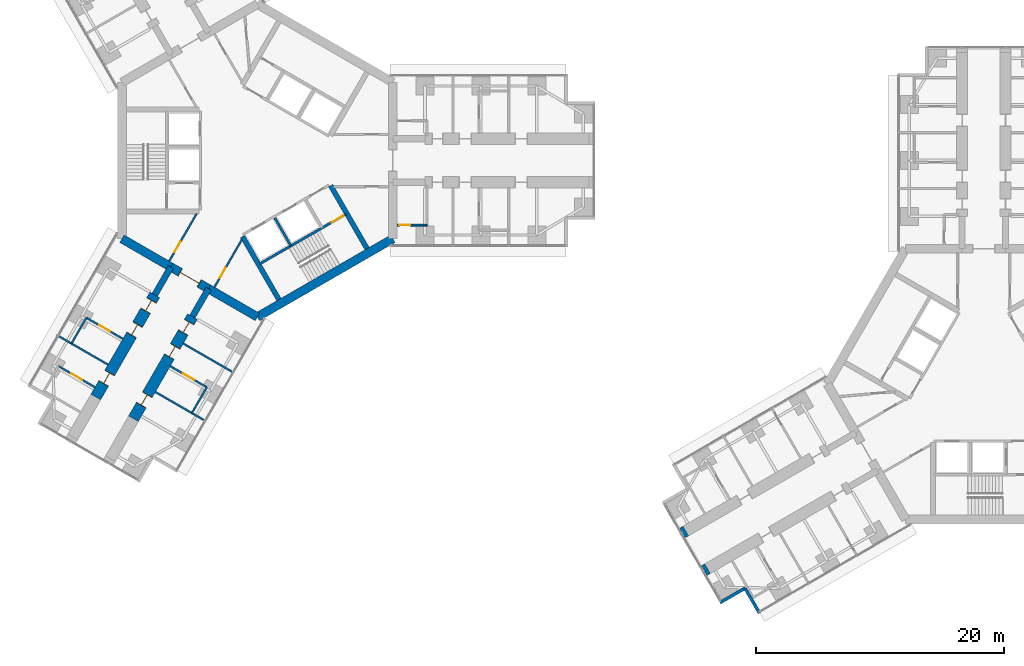
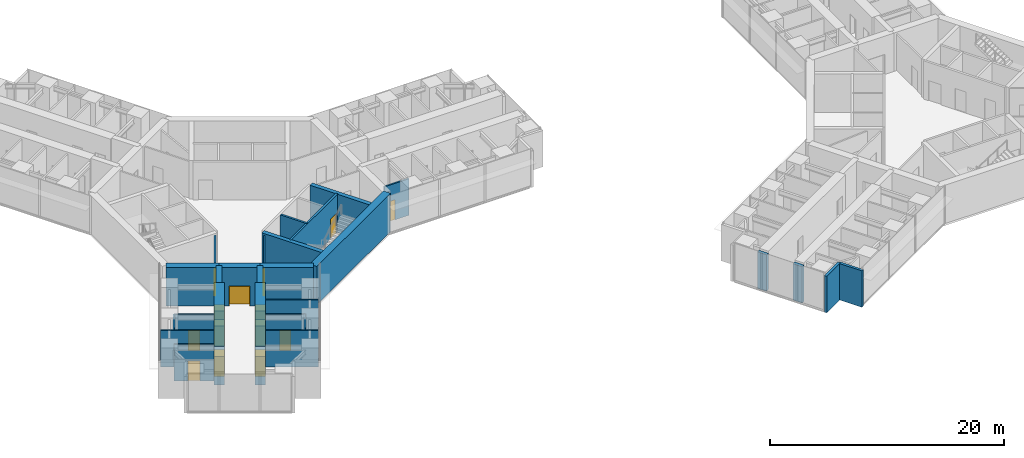
# One storey, part 16 of 24: 27 walls, 14 doors, 14 openings.
"""IFC4 building model written with IfcOpenShell, lengths in metres."""

from ifc_helpers import new_model, si_unit, direction, frame, frame_2d, origin, place, context, subcontext, project, spatial, rectangle, extrude, material, layer, layer_set, type_object, element, fill, save


model = new_model("IFC4")

# Units and contexts
model_context = context("Model", 3, precision=1e-05, world=origin(), true_north=direction((0.0, 1.0)))
body_context = subcontext(model_context, "Body", "Model", "MODEL_VIEW")
ifc_project = project(units=[si_unit("LENGTHUNIT", "METRE"), si_unit("AREAUNIT", "SQUARE_METRE"), si_unit("VOLUMEUNIT", "CUBIC_METRE"), si_unit("PLANEANGLEUNIT", "RADIAN"), si_unit("MASSUNIT", "GRAM", prefix="KILO")], contexts=[model_context])

# Site, building, storey
site_placement = place(None, origin())
site = spatial("IfcSite", under=ifc_project, at=site_placement, CompositionType="ELEMENT")
building_placement = place(site_placement, origin())
building = spatial("IfcBuilding", under=site, at=building_placement, Name="Upepo Twin Towers", CompositionType="ELEMENT")
storey_placement = place(building_placement, frame((0.0, 0.0, 60.5)))
storey = spatial("IfcBuildingStorey", under=building, at=storey_placement, Name="L14", CompositionType="ELEMENT", Elevation=60.5)

# Walls
ifc_material_1 = material(Name="Dense concrete blockwork", Category="masonry")
ifc_layer_1 = layer(ifc_material_1, 0.89990234375)
ifc_layer_set_1 = layer_set([ifc_layer_1], Name="Buttress closer 900, blockwork with fire-stopping to the curtain wall")
wall_type_1 = type_object("IfcWallType", Name="Buttress closer 900, blockwork with fire-stopping to the curtain wall", PredefinedType="PARTITIONING", material=ifc_layer_set_1)
for number, where, z_axis, x_axis, name in (
    (1, (36.252197265625, -32.865478515625, 0.0), (0.0, 0.0, 1.0), (-0.866054481515, -0.499949632511, 0.0), "T2 L14 wing B buttress closer L"),
    (2, (34.502197265625, -29.83447265625, 0.0), (0.0, 0.0, 1.0), (-0.866054481515, -0.499949632511, 0.0), "T2 L14 wing B buttress closer R"),
):
    element("IfcWall", number, at=place(storey_placement, frame(where, z_axis=z_axis, x_axis=x_axis)), inside=storey, type_object=wall_type_1, Name=name, PredefinedType="PARTITIONING", context=body_context, shape_type="SweptSolid", body=[
        extrude(rectangle(XDim=0.31005859375, YDim=0.89990234375, at=frame_2d((0.155029296875, 0.0))), origin(), (0.0, 0.0, 1.0), 3.800048828125),
    ])
ifc_material_2 = material(Name="Concrete C60/75", Category="concrete")
ifc_layer_2 = layer(ifc_material_2, 0.5)
ifc_layer_set_2 = layer_set([ifc_layer_2], Name="Concrete C60/75")
wall_type_2 = type_object("IfcWallType", Name="Buttress wall 500 RC", PredefinedType="SHEAR", material=ifc_layer_set_2)
for number, where, z_axis, x_axis, name in (
    (3, (-3.938720703125, -10.32177734375, 0.0), (0.0, 0.0, 1.0), (-0.499918158782, -0.866072649678, 0.0), "T1 wing C buttress wall L"),
    (4, (-6.9697265625, -8.57177734375, 0.0), (0.0, 0.0, 1.0), (-0.499988811324, -0.866031863473, 0.0), "T1 wing C buttress wall R"),
):
    element("IfcWall", number, at=place(storey_placement, frame(where, z_axis=z_axis, x_axis=x_axis)), inside=storey, type_object=wall_type_2, Name=name, PredefinedType="SHEAR", context=body_context, shape_type="SweptSolid", body=[
        extrude(rectangle(XDim=2.591796875, YDim=0.5, at=frame_2d((1.2958984375, 0.0))), origin(), (0.0, 0.0, 1.0), 4.0),
    ])

# Wall, openings, doors
ifc_material_3 = material(Name="Concrete C60/75", Category="concrete")
ifc_layer_3 = layer(ifc_material_3, 0.89990234375)
ifc_layer_set_3 = layer_set([ifc_layer_3], Name="Concrete C60/75")
wall_type_3 = type_object("IfcWallType", Name="Buttress wall 900 RC", PredefinedType="SHEAR", material=ifc_layer_set_3)
wall_1_placement = place(storey_placement, frame((-5.234375, -12.56640625, 0.0), z_axis=(0.0, 0.0, 1.0), x_axis=(-0.499997557548, -0.86602681393, 0.0)))
wall_1 = element("IfcWall", 5, at=wall_1_placement, inside=storey, type_object=wall_type_3, Name="T1 wing C buttress wall L part 2", PredefinedType="SHEAR", context=body_context, shape_type="SweptSolid", body=[
    extrude(rectangle(XDim=9.5, YDim=0.89990234375, at=frame_2d((4.75, 0.0))), origin(), (0.0, 0.0, 1.0), 4.0),
])
opening_1_placement = place(wall_1_placement, frame((0.5, 0.0, 0.0)))
opening_1 = element("IfcOpeningElement", 6, at=opening_1_placement, cuts=wall_1, Name="Opening D1", PredefinedType="OPENING", context=body_context, shape_type="SweptSolid", body=[
    extrude(rectangle(XDim=1.0, YDim=2.10009765625, at=frame_2d((0.5, 1.050048828125))), frame((0.0, 0.4599609375, 0.0), z_axis=(0.0, -1.0, 0.0), x_axis=(1.0, 0.0, 0.0)), (0.0, 0.0, 1.0), 0.919921875),
])
opening_2_placement = place(wall_1_placement, frame((2.75, 0.0, 0.0)))
opening_2 = element("IfcOpeningElement", 7, at=opening_2_placement, cuts=wall_1, Name="Opening D1", PredefinedType="OPENING", context=body_context, shape_type="SweptSolid", body=[
    extrude(rectangle(XDim=1.0, YDim=2.10009765625, at=frame_2d((0.5, 1.050048828125))), frame((0.0, 0.4599609375, 0.0), z_axis=(0.0, -1.0, 0.0), x_axis=(1.0, 0.0, 0.0)), (0.0, 0.0, 1.0), 0.919921875),
])
opening_3_placement = place(wall_1_placement, frame((7.25, 0.0, 0.0)))
opening_3 = element("IfcOpeningElement", 8, at=opening_3_placement, cuts=wall_1, Name="Opening D1", PredefinedType="OPENING", context=body_context, shape_type="SweptSolid", body=[
    extrude(rectangle(XDim=1.0, YDim=2.10009765625, at=frame_2d((0.5, 1.050048828125))), frame((0.0, 0.4599609375, 0.0), z_axis=(0.0, -1.0, 0.0), x_axis=(1.0, 0.0, 0.0)), (0.0, 0.0, 1.0), 0.919921875),
])
ifc_material_4 = material(Name="Timber doorset", Category="wood")
door_type_1 = type_object("IfcDoorType", Name="Room door 1000 FD30", OperationType="SINGLE_SWING_LEFT", PredefinedType="DOOR", material=ifc_material_4)
door_1_placement = place(opening_1_placement, origin())
door_1 = element("IfcDoor", 9, at=door_1_placement, inside=storey, type_object=door_type_1, Name="T1 L14 tutorial room door", OperationType="SINGLE_SWING_LEFT", OverallHeight=2.10009765625, OverallWidth=1.0, PredefinedType="DOOR", context=body_context, shape_type="SweptSolid", body=[
    extrude(rectangle(XDim=0.92, YDim=2.06009765625, at=frame_2d((0.5, 1.030029296875))), frame((0.0, 0.02490234375, 0.0), z_axis=(0.0, -1.0, 0.0), x_axis=(1.0, 0.0, 0.0)), (0.0, 0.0, 1.0), 0.050048828125),
    extrude(rectangle(XDim=0.04, YDim=2.10009765625, at=frame_2d((0.02001953125, 1.050048828125))), frame((0.0, 0.44970703125, 0.0), z_axis=(0.0, -1.0, 0.0), x_axis=(1.0, 0.0, 0.0)), (0.0, 0.0, 1.0), 0.8994140625),
    extrude(rectangle(XDim=0.04, YDim=2.10009765625, at=frame_2d((0.97998046875, 1.050048828125))), frame((0.0, 0.44970703125, 0.0), z_axis=(0.0, -1.0, 0.0), x_axis=(1.0, 0.0, 0.0)), (0.0, 0.0, 1.0), 0.8994140625),
    extrude(rectangle(XDim=0.92, YDim=0.04, at=frame_2d((0.5, 2.080078125))), frame((0.0, 0.44970703125, 0.0), z_axis=(0.0, -1.0, 0.0), x_axis=(1.0, 0.0, 0.0)), (0.0, 0.0, 1.0), 0.8994140625),
])
fill(opening_1, door_1)
door_2_placement = place(opening_2_placement, origin())
door_2 = element("IfcDoor", 10, at=door_2_placement, inside=storey, type_object=door_type_1, Name="T1 L14 computing laboratory door", OperationType="SINGLE_SWING_LEFT", OverallHeight=2.10009765625, OverallWidth=1.0, PredefinedType="DOOR", context=body_context, shape_type="SweptSolid", body=[
    extrude(rectangle(XDim=0.92, YDim=2.06009765625, at=frame_2d((0.5, 1.030029296875))), frame((0.0, 0.02490234375, 0.0), z_axis=(0.0, -1.0, 0.0), x_axis=(1.0, 0.0, 0.0)), (0.0, 0.0, 1.0), 0.050048828125),
    extrude(rectangle(XDim=0.04, YDim=2.10009765625, at=frame_2d((0.02001953125, 1.050048828125))), frame((0.0, 0.44970703125, 0.0), z_axis=(0.0, -1.0, 0.0), x_axis=(1.0, 0.0, 0.0)), (0.0, 0.0, 1.0), 0.8994140625),
    extrude(rectangle(XDim=0.04, YDim=2.10009765625, at=frame_2d((0.97998046875, 1.050048828125))), frame((0.0, 0.44970703125, 0.0), z_axis=(0.0, -1.0, 0.0), x_axis=(1.0, 0.0, 0.0)), (0.0, 0.0, 1.0), 0.8994140625),
    extrude(rectangle(XDim=0.92, YDim=0.04, at=frame_2d((0.5, 2.080078125))), frame((0.0, 0.44970703125, 0.0), z_axis=(0.0, -1.0, 0.0), x_axis=(1.0, 0.0, 0.0)), (0.0, 0.0, 1.0), 0.8994140625),
])
fill(opening_2, door_2)
door_3_placement = place(opening_3_placement, origin())
door_3 = element("IfcDoor", 11, at=door_3_placement, inside=storey, type_object=door_type_1, Name="T1 L14 seminar room door", OperationType="SINGLE_SWING_RIGHT", OverallHeight=2.10009765625, OverallWidth=1.0, PredefinedType="DOOR", context=body_context, shape_type="SweptSolid", body=[
    extrude(rectangle(XDim=0.92, YDim=2.06009765625, at=frame_2d((0.5, 1.030029296875))), frame((0.0, 0.02490234375, 0.0), z_axis=(0.0, -1.0, 0.0), x_axis=(1.0, 0.0, 0.0)), (0.0, 0.0, 1.0), 0.050048828125),
    extrude(rectangle(XDim=0.04, YDim=2.10009765625, at=frame_2d((0.02001953125, 1.050048828125))), frame((0.0, 0.44970703125, 0.0), z_axis=(0.0, -1.0, 0.0), x_axis=(1.0, 0.0, 0.0)), (0.0, 0.0, 1.0), 0.8994140625),
    extrude(rectangle(XDim=0.04, YDim=2.10009765625, at=frame_2d((0.97998046875, 1.050048828125))), frame((0.0, 0.44970703125, 0.0), z_axis=(0.0, -1.0, 0.0), x_axis=(1.0, 0.0, 0.0)), (0.0, 0.0, 1.0), 0.8994140625),
    extrude(rectangle(XDim=0.92, YDim=0.04, at=frame_2d((0.5, 2.080078125))), frame((0.0, 0.44970703125, 0.0), z_axis=(0.0, -1.0, 0.0), x_axis=(1.0, 0.0, 0.0)), (0.0, 0.0, 1.0), 0.8994140625),
])
fill(opening_3, door_3)

wall_2_placement = place(storey_placement, frame((-8.265625, -10.81640625, 0.0), z_axis=(0.0, 0.0, 1.0), x_axis=(-0.499997557548, -0.86602681393, 0.0)))
wall_2 = element("IfcWall", 12, at=wall_2_placement, inside=storey, type_object=wall_type_3, Name="T1 wing C buttress wall R part 2", PredefinedType="SHEAR", context=body_context, shape_type="SweptSolid", body=[
    extrude(rectangle(XDim=9.5, YDim=0.89990234375, at=frame_2d((4.75, 0.0))), origin(), (0.0, 0.0, 1.0), 4.0),
])
opening_4_placement = place(wall_2_placement, frame((0.5, 0.0, 0.0)))
opening_4 = element("IfcOpeningElement", 13, at=opening_4_placement, cuts=wall_2, Name="Opening D1", PredefinedType="OPENING", context=body_context, shape_type="SweptSolid", body=[
    extrude(rectangle(XDim=1.0, YDim=2.10009765625, at=frame_2d((0.5, 1.050048828125))), frame((0.0, 0.4599609375, 0.0), z_axis=(0.0, -1.0, 0.0), x_axis=(1.0, 0.0, 0.0)), (0.0, 0.0, 1.0), 0.919921875),
])
opening_5_placement = place(wall_2_placement, frame((2.75, 0.0, 0.0)))
opening_5 = element("IfcOpeningElement", 14, at=opening_5_placement, cuts=wall_2, Name="Opening D1", PredefinedType="OPENING", context=body_context, shape_type="SweptSolid", body=[
    extrude(rectangle(XDim=1.0, YDim=2.10009765625, at=frame_2d((0.5, 1.050048828125))), frame((0.0, 0.4599609375, 0.0), z_axis=(0.0, -1.0, 0.0), x_axis=(1.0, 0.0, 0.0)), (0.0, 0.0, 1.0), 0.919921875),
])
opening_6_placement = place(wall_2_placement, frame((7.25, 0.0, 0.0)))
opening_6 = element("IfcOpeningElement", 15, at=opening_6_placement, cuts=wall_2, Name="Opening D1", PredefinedType="OPENING", context=body_context, shape_type="SweptSolid", body=[
    extrude(rectangle(XDim=1.0, YDim=2.10009765625, at=frame_2d((0.5, 1.050048828125))), frame((0.0, 0.4599609375, 0.0), z_axis=(0.0, -1.0, 0.0), x_axis=(1.0, 0.0, 0.0)), (0.0, 0.0, 1.0), 0.919921875),
])
door_4_placement = place(opening_4_placement, origin())
door_4 = element("IfcDoor", 16, at=door_4_placement, inside=storey, type_object=door_type_1, Name="T1 L14 teaching laboratory door", OperationType="SINGLE_SWING_LEFT", OverallHeight=2.10009765625, OverallWidth=1.0, PredefinedType="DOOR", context=body_context, shape_type="SweptSolid", body=[
    extrude(rectangle(XDim=0.92, YDim=2.06009765625, at=frame_2d((0.5, 1.030029296875))), frame((0.0, 0.02490234375, 0.0), z_axis=(0.0, -1.0, 0.0), x_axis=(1.0, 0.0, 0.0)), (0.0, 0.0, 1.0), 0.050048828125),
    extrude(rectangle(XDim=0.04, YDim=2.10009765625, at=frame_2d((0.02001953125, 1.050048828125))), frame((0.0, 0.44970703125, 0.0), z_axis=(0.0, -1.0, 0.0), x_axis=(1.0, 0.0, 0.0)), (0.0, 0.0, 1.0), 0.8994140625),
    extrude(rectangle(XDim=0.04, YDim=2.10009765625, at=frame_2d((0.97998046875, 1.050048828125))), frame((0.0, 0.44970703125, 0.0), z_axis=(0.0, -1.0, 0.0), x_axis=(1.0, 0.0, 0.0)), (0.0, 0.0, 1.0), 0.8994140625),
    extrude(rectangle(XDim=0.92, YDim=0.04, at=frame_2d((0.5, 2.080078125))), frame((0.0, 0.44970703125, 0.0), z_axis=(0.0, -1.0, 0.0), x_axis=(1.0, 0.0, 0.0)), (0.0, 0.0, 1.0), 0.8994140625),
])
fill(opening_4, door_4)
door_5_placement = place(opening_5_placement, origin())
door_5 = element("IfcDoor", 17, at=door_5_placement, inside=storey, type_object=door_type_1, Name="T1 L14 teaching laboratory door", OperationType="SINGLE_SWING_LEFT", OverallHeight=2.10009765625, OverallWidth=1.0, PredefinedType="DOOR", context=body_context, shape_type="SweptSolid", body=[
    extrude(rectangle(XDim=0.92, YDim=2.06009765625, at=frame_2d((0.5, 1.030029296875))), frame((0.0, 0.02490234375, 0.0), z_axis=(0.0, -1.0, 0.0), x_axis=(1.0, 0.0, 0.0)), (0.0, 0.0, 1.0), 0.050048828125),
    extrude(rectangle(XDim=0.04, YDim=2.10009765625, at=frame_2d((0.02001953125, 1.050048828125))), frame((0.0, 0.44970703125, 0.0), z_axis=(0.0, -1.0, 0.0), x_axis=(1.0, 0.0, 0.0)), (0.0, 0.0, 1.0), 0.8994140625),
    extrude(rectangle(XDim=0.04, YDim=2.10009765625, at=frame_2d((0.97998046875, 1.050048828125))), frame((0.0, 0.44970703125, 0.0), z_axis=(0.0, -1.0, 0.0), x_axis=(1.0, 0.0, 0.0)), (0.0, 0.0, 1.0), 0.8994140625),
    extrude(rectangle(XDim=0.92, YDim=0.04, at=frame_2d((0.5, 2.080078125))), frame((0.0, 0.44970703125, 0.0), z_axis=(0.0, -1.0, 0.0), x_axis=(1.0, 0.0, 0.0)), (0.0, 0.0, 1.0), 0.8994140625),
])
fill(opening_5, door_5)
door_6_placement = place(opening_6_placement, origin())
door_6 = element("IfcDoor", 18, at=door_6_placement, inside=storey, type_object=door_type_1, Name="T1 L14 staff office door", OperationType="SINGLE_SWING_RIGHT", OverallHeight=2.10009765625, OverallWidth=1.0, PredefinedType="DOOR", context=body_context, shape_type="SweptSolid", body=[
    extrude(rectangle(XDim=0.92, YDim=2.06009765625, at=frame_2d((0.5, 1.030029296875))), frame((0.0, 0.02490234375, 0.0), z_axis=(0.0, -1.0, 0.0), x_axis=(1.0, 0.0, 0.0)), (0.0, 0.0, 1.0), 0.050048828125),
    extrude(rectangle(XDim=0.04, YDim=2.10009765625, at=frame_2d((0.02001953125, 1.050048828125))), frame((0.0, 0.44970703125, 0.0), z_axis=(0.0, -1.0, 0.0), x_axis=(1.0, 0.0, 0.0)), (0.0, 0.0, 1.0), 0.8994140625),
    extrude(rectangle(XDim=0.04, YDim=2.10009765625, at=frame_2d((0.97998046875, 1.050048828125))), frame((0.0, 0.44970703125, 0.0), z_axis=(0.0, -1.0, 0.0), x_axis=(1.0, 0.0, 0.0)), (0.0, 0.0, 1.0), 0.8994140625),
    extrude(rectangle(XDim=0.92, YDim=0.04, at=frame_2d((0.5, 2.080078125))), frame((0.0, 0.44970703125, 0.0), z_axis=(0.0, -1.0, 0.0), x_axis=(1.0, 0.0, 0.0)), (0.0, 0.0, 1.0), 0.8994140625),
])
fill(opening_6, door_6)

# Wall
ifc_material_5 = material(Name="Concrete C60/75", Category="concrete")
ifc_layer_4 = layer(ifc_material_5, 0.699951171875)
ifc_layer_set_4 = layer_set([ifc_layer_4], Name="Concrete C60/75")
wall_type_4 = type_object("IfcWallType", Name="Core wall 700 RC", PredefinedType="SHEAR", material=ifc_layer_set_4)
wall_3_placement = place(storey_placement, frame((-10.908447265625, -6.2978515625, 0.0), z_axis=(0.0, 0.0, 1.0), x_axis=(0.866034513004, -0.499984222037, 0.0)))
element("IfcWall", 19, at=wall_3_placement, inside=storey, type_object=wall_type_4, Name="T1 core wall 240 R", PredefinedType="SHEAR", context=body_context, shape_type="SweptSolid", body=[
    extrude(rectangle(XDim=4.548095703125, YDim=0.699951171875, at=frame_2d((2.27392578125, 0.0))), origin(), (0.0, 0.0, 1.0), 4.0),
])

# Wall, opening, door
wall_4_placement = place(storey_placement, frame((-6.9697265625, -8.57177734375, 0.0), z_axis=(0.0, 0.0, 1.0), x_axis=(0.866019471182, -0.500010275428, 0.0)))
wall_4 = element("IfcWall", 20, at=wall_4_placement, inside=storey, type_object=wall_type_4, Name="T1 core wall 240", PredefinedType="SHEAR", context=body_context, shape_type="SweptSolid", body=[
    extrude(rectangle(XDim=3.5, YDim=0.699951171875, at=frame_2d((1.75, 0.0))), origin(), (0.0, 0.0, 1.0), 4.0),
])
opening_7_placement = place(wall_4_placement, frame((0.85009765625, 0.0, 0.0)))
opening_7 = element("IfcOpeningElement", 21, at=opening_7_placement, cuts=wall_4, Name="Opening D2", PredefinedType="OPENING", context=body_context, shape_type="SweptSolid", body=[
    extrude(rectangle(XDim=1.800048828125, YDim=2.10009765625, at=frame_2d((0.89990234375, 1.050048828125))), frame((0.0, 0.35986328125, 0.0), z_axis=(0.0, -1.0, 0.0), x_axis=(1.0, 0.0, 0.0)), (0.0, 0.0, 1.0), 0.719970703125),
])
ifc_material_6 = material(Name="Timber doorset", Category="wood")
door_type_2 = type_object("IfcDoorType", Name="Corridor double door 1800 FD60", OperationType="DOUBLE_DOOR_DOUBLE_SWING", PredefinedType="DOOR", material=ifc_material_6)
door_7_placement = place(opening_7_placement, origin())
door_7 = element("IfcDoor", 22, at=door_7_placement, inside=storey, type_object=door_type_2, Name="T1 L14 wing C corridor door", OperationType="DOUBLE_DOOR_DOUBLE_SWING", OverallHeight=2.10009765625, OverallWidth=1.800048828125, PredefinedType="DOOR", context=body_context, shape_type="SweptSolid", body=[
    extrude(rectangle(XDim=1.720048828125, YDim=2.06009765625, at=frame_2d((0.89990234375, 1.030029296875))), frame((0.0, 0.02490234375, 0.0), z_axis=(0.0, -1.0, 0.0), x_axis=(1.0, 0.0, 0.0)), (0.0, 0.0, 1.0), 0.050048828125),
    extrude(rectangle(XDim=0.04, YDim=2.10009765625, at=frame_2d((0.02001953125, 1.050048828125))), frame((0.0, 0.349609375, 0.0), z_axis=(0.0, -1.0, 0.0), x_axis=(1.0, 0.0, 0.0)), (0.0, 0.0, 1.0), 0.699462890625),
    extrude(rectangle(XDim=0.04, YDim=2.10009765625, at=frame_2d((1.780029296875, 1.050048828125))), frame((0.0, 0.349609375, 0.0), z_axis=(0.0, -1.0, 0.0), x_axis=(1.0, 0.0, 0.0)), (0.0, 0.0, 1.0), 0.699462890625),
    extrude(rectangle(XDim=1.720048828125, YDim=0.04, at=frame_2d((0.89990234375, 2.080078125))), frame((0.0, 0.349609375, 0.0), z_axis=(0.0, -1.0, 0.0), x_axis=(1.0, 0.0, 0.0)), (0.0, 0.0, 1.0), 0.699462890625),
])
fill(opening_7, door_7)

# Walls
wall_5_placement = place(storey_placement, frame((-3.938720703125, -10.32177734375, 0.0), z_axis=(0.0, 0.0, 1.0), x_axis=(0.866011268655, -0.500024481964, 0.0)))
element("IfcWall", 23, at=wall_5_placement, inside=storey, type_object=wall_type_4, Name="T1 core wall 240 L", PredefinedType="SHEAR", context=body_context, shape_type="SweptSolid", body=[
    extrude(rectangle(XDim=4.548095703125, YDim=0.699951171875, at=frame_2d((2.27392578125, 0.0))), origin(), (0.0, 0.0, 1.0), 4.0),
])
wall_6_placement = place(storey_placement, frame((0.0, -12.595947265625, 0.0), z_axis=(0.0, 0.0, 1.0), x_axis=(0.866021940709, 0.500005998175, 0.0)))
element("IfcWall", 24, at=wall_6_placement, inside=storey, type_object=wall_type_4, Name="T1 core wall 300", PredefinedType="SHEAR", context=body_context, shape_type="SweptSolid", body=[
    extrude(rectangle(XDim=12.595947265625, YDim=0.699951171875, at=frame_2d((6.2978515625, 0.0))), origin(), (0.0, 0.0, 1.0), 4.0),
])
ifc_material_7 = material(Name="Blockwork with anodised aluminium cladding", Category="masonry")
ifc_layer_5 = layer(ifc_material_7, 0.25)
ifc_layer_set_5 = layer_set([ifc_layer_5], Name="Notch cladding wall 250, pale metal")
wall_type_5 = type_object("IfcWallType", Name="Notch cladding wall 250, pale metal", PredefinedType="STANDARD", material=ifc_layer_set_5)
for number, where, z_axis, x_axis, name in (
    (25, (40.4326171875, -36.456298828125, 0.0), (0.0, 0.0, 1.0), (-0.500046648681, 0.865998469481, 0.0), "T2 L14 wing B notch wall L1"),
    (26, (39.27001953125, -34.44287109375, 0.0), (0.0, 0.0, 1.0), (-0.865998469481, -0.500046648681, 0.0), "T2 L14 wing B notch wall L2"),
):
    element("IfcWall", number, at=place(storey_placement, frame(where, z_axis=z_axis, x_axis=x_axis)), inside=storey, type_object=wall_type_5, Name=name, PredefinedType="STANDARD", context=body_context, shape_type="SweptSolid", body=[
        extrude(rectangle(XDim=2.324951171875, YDim=0.25, at=frame_2d((1.16259765625, 0.0))), origin(), (0.0, 0.0, 1.0), 3.800048828125),
    ])
ifc_material_8 = material(Name="Concrete C40/50", Category="concrete")
ifc_layer_6 = layer(ifc_material_8, 0.199951171875)
ifc_layer_set_6 = layer_set([ifc_layer_6], Name="Concrete C40/50")
wall_type_6 = type_object("IfcWallType", Name="Shaft wall 200 RC", PredefinedType="SHEAR", material=ifc_layer_set_6)
wall_7_placement = place(storey_placement, frame((1.3974609375, -4.620361328125, 0.0), z_axis=(0.0, 0.0, 1.0), x_axis=(0.499936506574, -0.866062058628, 0.0)))
element("IfcWall", 27, at=wall_7_placement, inside=storey, type_object=wall_type_6, Name="T1 core W300 shaft divider", PredefinedType="SHEAR", context=body_context, shape_type="SweptSolid", body=[
    extrude(rectangle(XDim=2.599853515625, YDim=0.199951171875, at=frame_2d((1.2998046875, 0.0))), origin(), (0.0, 0.0, 1.0), 4.0),
])

# Wall, opening, door
wall_8_placement = place(storey_placement, frame((0.185791015625, -8.322021484375, 0.0), z_axis=(0.0, 0.0, 1.0), x_axis=(0.866026010844, 0.49999894854, 0.0)))
wall_8 = element("IfcWall", 28, at=wall_8_placement, inside=storey, type_object=wall_type_6, Name="T1 core W300 stair wall", PredefinedType="SHEAR", context=body_context, shape_type="SweptSolid", body=[
    extrude(rectangle(XDim=8.0, YDim=0.199951171875, at=frame_2d((4.0, 0.0))), origin(), (0.0, 0.0, 1.0), 4.0),
])
opening_8_placement = place(wall_8_placement, frame((6.699951171875, 0.0, 0.0)))
opening_8 = element("IfcOpeningElement", 29, at=opening_8_placement, cuts=wall_8, Name="Opening D3", PredefinedType="OPENING", context=body_context, shape_type="SweptSolid", body=[
    extrude(rectangle(XDim=1.10009765625, YDim=2.10009765625, at=frame_2d((0.550048828125, 1.050048828125))), frame((0.0, 0.10986328125, 0.0), z_axis=(0.0, -1.0, 0.0), x_axis=(1.0, 0.0, 0.0)), (0.0, 0.0, 1.0), 0.219970703125),
])
ifc_material_9 = material(Name="Timber doorset", Category="wood")
door_type_3 = type_object("IfcDoorType", Name="Stair door 1100 FD60", OperationType="SINGLE_SWING_LEFT", PredefinedType="DOOR", material=ifc_material_9)
door_8_placement = place(opening_8_placement, origin())
door_8 = element("IfcDoor", 30, at=door_8_placement, inside=storey, type_object=door_type_3, Name="T1 L14 stair door", OperationType="SINGLE_SWING_RIGHT", OverallHeight=2.10009765625, OverallWidth=1.10009765625, PredefinedType="DOOR", context=body_context, shape_type="SweptSolid", body=[
    extrude(rectangle(XDim=1.10009765625, YDim=2.10009765625, at=frame_2d((0.550048828125, 1.050048828125))), frame((0.0, 0.02490234375, 0.0), z_axis=(0.0, -1.0, 0.0), x_axis=(1.0, 0.0, 0.0)), (0.0, 0.0, 1.0), 0.050048828125),
])
fill(opening_8, door_8)

# Walls
ifc_material_10 = material(Name="Concrete C40/50", Category="concrete")
ifc_layer_7 = layer(ifc_material_10, 0.39990234375)
ifc_layer_set_7 = layer_set([ifc_layer_7], Name="Concrete C40/50")
wall_type_7 = type_object("IfcWallType", Name="Shaft wall 400 RC", PredefinedType="SHEAR", material=ifc_layer_set_7)
for number, where, z_axis, x_axis, name in (
    (31, (5.900634765625, -2.020263671875, 0.0), (0.0, 0.0, 1.0), (0.500002627198, -0.866023886965, 0.0), "T1 core W300 side wall N"),
    (32, (-1.20068359375, -6.120361328125, 0.0), (0.0, 0.0, 1.0), (0.500002627198, -0.866023886965, 0.0), "T1 core W300 side wall S"),
):
    element("IfcWall", number, at=place(storey_placement, frame(where, z_axis=z_axis, x_axis=x_axis)), inside=storey, type_object=wall_type_7, Name=name, PredefinedType="SHEAR", context=body_context, shape_type="SweptSolid", body=[
        extrude(rectangle(XDim=5.8583984375, YDim=0.39990234375, at=frame_2d((2.92919921875, 0.0))), origin(), (0.0, 0.0, 1.0), 4.0),
    ])

# Wall, opening, door
ifc_material_11 = material(Name="Gypsum board on steel studs", Category="steel")
ifc_layer_8 = layer(ifc_material_11, 0.14990234375)
ifc_layer_set_8 = layer_set([ifc_layer_8], Name="Teaching partition 150 acoustic")
wall_type_8 = type_object("IfcWallType", Name="Teaching partition 150 acoustic", PredefinedType="PARTITIONING", material=ifc_layer_set_8)
wall_9_placement = place(storey_placement, frame((11.258056640625, -5.199951171875, 0.0), z_axis=(0.0, 0.0, 1.0), x_axis=(1.0, 0.0, 0.0)))
wall_9 = element("IfcWall", 33, at=wall_9_placement, inside=storey, type_object=wall_type_8, Name="T1 WC bay partition AR at 11.26", PredefinedType="PARTITIONING", context=body_context, shape_type="SweptSolid", body=[
    extrude(rectangle(XDim=2.39990234375, YDim=0.14990234375, at=frame_2d((1.199951171875, 0.0))), origin(), (0.0, 0.0, 1.0), 3.800048828125),
])
opening_9_placement = place(wall_9_placement, frame((0.14990234375, 0.0, 0.0)))
opening_9 = element("IfcOpeningElement", 34, at=opening_9_placement, cuts=wall_9, Name="Opening D14", PredefinedType="OPENING", context=body_context, shape_type="SweptSolid", body=[
    extrude(rectangle(XDim=0.89990234375, YDim=2.10009765625, at=frame_2d((0.449951171875, 1.050048828125))), frame((0.0, 0.0849609375, 0.0), z_axis=(0.0, -1.0, 0.0), x_axis=(1.0, 0.0, 0.0)), (0.0, 0.0, 1.0), 0.169921875),
])
ifc_material_12 = material(Name="Timber doorset", Category="wood")
door_type_4 = type_object("IfcDoorType", Name="Office door 900 FD30", OperationType="SINGLE_SWING_LEFT", PredefinedType="DOOR", material=ifc_material_12)
door_9_placement = place(opening_9_placement, origin())
door_9 = element("IfcDoor", 35, at=door_9_placement, inside=storey, type_object=door_type_4, Name="T1 L14 WC bay inner room door", OperationType="SINGLE_SWING_LEFT", OverallHeight=2.10009765625, OverallWidth=0.89990234375, PredefinedType="DOOR", context=body_context, shape_type="SweptSolid", body=[
    extrude(rectangle(XDim=0.89990234375, YDim=2.10009765625, at=frame_2d((0.449951171875, 1.050048828125))), frame((0.0, 0.02490234375, 0.0), z_axis=(0.0, -1.0, 0.0), x_axis=(1.0, 0.0, 0.0)), (0.0, 0.0, 1.0), 0.050048828125),
])
fill(opening_9, door_9)

# Walls
for number, where, z_axis, x_axis, name in (
    (36, (-5.9697265625, -14.739990234375, 0.0), (0.0, 0.0, 1.0), (0.866035472144, -0.499982560684, 0.0), "T1 partition CL at 15.75"),
    (37, (-8.2197265625, -18.636962890625, 0.0), (0.0, 0.0, 1.0), (0.866012237902, -0.500022803284, 0.0), "T1 partition CL at 20.25"),
):
    element("IfcWall", number, at=place(storey_placement, frame(where, z_axis=z_axis, x_axis=x_axis)), inside=storey, type_object=wall_type_8, Name=name, PredefinedType="PARTITIONING", context=body_context, shape_type="SweptSolid", body=[
        extrude(rectangle(XDim=4.550048828125, YDim=0.14990234375, at=frame_2d((2.27490234375, 0.0))), origin(), (0.0, 0.0, 1.0), 3.800048828125),
    ])
wall_10_placement = place(storey_placement, frame((-4.0751953125, -18.258544921875, 0.0), z_axis=(0.0, 0.0, 1.0), x_axis=(-0.500001309137, -0.866024647952, 0.0)))
element("IfcWall", 38, at=wall_10_placement, inside=storey, type_object=wall_type_8, Name="T1 inner room partition CL at 17.85", PredefinedType="PARTITIONING", context=body_context, shape_type="SweptSolid", body=[
    extrude(rectangle(XDim=2.39990234375, YDim=0.14990234375, at=frame_2d((1.199951171875, 0.0))), origin(), (0.0, 0.0, 1.0), 3.800048828125),
])

# Wall, opening, door
wall_11_placement = place(storey_placement, frame((-7.019775390625, -16.55859375, 0.0), z_axis=(0.0, 0.0, 1.0), x_axis=(0.866038511948, -0.499977295307, 0.0)))
wall_11 = element("IfcWall", 39, at=wall_11_placement, inside=storey, type_object=wall_type_8, Name="T1 inner room partition CL end at 17.85", PredefinedType="PARTITIONING", context=body_context, shape_type="SweptSolid", body=[
    extrude(rectangle(XDim=3.400146484375, YDim=0.14990234375, at=frame_2d((1.7001953125, 0.0))), origin(), (0.0, 0.0, 1.0), 3.800048828125),
])
opening_10_placement = place(wall_11_placement, frame((1.199951171875, 0.0, 0.0)))
opening_10 = element("IfcOpeningElement", 40, at=opening_10_placement, cuts=wall_11, Name="Opening D1", PredefinedType="OPENING", context=body_context, shape_type="SweptSolid", body=[
    extrude(rectangle(XDim=1.0, YDim=2.10009765625, at=frame_2d((0.5, 1.050048828125))), frame((0.0, 0.0849609375, 0.0), z_axis=(0.0, -1.0, 0.0), x_axis=(1.0, 0.0, 0.0)), (0.0, 0.0, 1.0), 0.169921875),
])
door_10_placement = place(opening_10_placement, origin())
door_10 = element("IfcDoor", 41, at=door_10_placement, inside=storey, type_object=door_type_1, Name="T1 L14 inner room door", OperationType="SINGLE_SWING_LEFT", OverallHeight=2.10009765625, OverallWidth=1.0, PredefinedType="DOOR", context=body_context, shape_type="SweptSolid", body=[
    extrude(rectangle(XDim=1.0, YDim=2.10009765625, at=frame_2d((0.5, 1.050048828125))), frame((0.0, 0.02490234375, 0.0), z_axis=(0.0, -1.0, 0.0), x_axis=(1.0, 0.0, 0.0)), (0.0, 0.0, 1.0), 0.050048828125),
])
fill(opening_10, door_10)

# Walls
wall_12_placement = place(storey_placement, frame((-12.0302734375, -16.43701171875, 0.0), z_axis=(0.0, 0.0, 1.0), x_axis=(-0.866035472144, 0.499982560684, 0.0)))
element("IfcWall", 42, at=wall_12_placement, inside=storey, type_object=wall_type_8, Name="T1 partition CR at 20.25", PredefinedType="PARTITIONING", context=body_context, shape_type="SweptSolid", body=[
    extrude(rectangle(XDim=4.550048828125, YDim=0.14990234375, at=frame_2d((2.27490234375, 0.0))), origin(), (0.0, 0.0, 1.0), 3.800048828125),
])
wall_13_placement = place(storey_placement, frame((-13.774658203125, -12.658447265625, 0.0), z_axis=(0.0, 0.0, 1.0), x_axis=(-0.500033551112, -0.866006032174, 0.0)))
element("IfcWall", 43, at=wall_13_placement, inside=storey, type_object=wall_type_8, Name="T1 inner room partition CR at 17.85", PredefinedType="PARTITIONING", context=body_context, shape_type="SweptSolid", body=[
    extrude(rectangle(XDim=2.400146484375, YDim=0.14990234375, at=frame_2d((1.2001953125, 0.0))), origin(), (0.0, 0.0, 1.0), 3.800048828125),
])

# Wall, opening, door
wall_14_placement = place(storey_placement, frame((-10.830322265625, -14.358642578125, 0.0), z_axis=(0.0, 0.0, 1.0), x_axis=(-0.865989465428, 0.500062241894, 0.0)))
wall_14 = element("IfcWall", 44, at=wall_14_placement, inside=storey, type_object=wall_type_8, Name="T1 inner room partition CR end at 17.85", PredefinedType="PARTITIONING", context=body_context, shape_type="SweptSolid", body=[
    extrude(rectangle(XDim=3.39990234375, YDim=0.14990234375, at=frame_2d((1.699951171875, 0.0))), origin(), (0.0, 0.0, 1.0), 3.800048828125),
])
opening_11_placement = place(wall_14_placement, frame((1.199951171875, 0.0, 0.0)))
opening_11 = element("IfcOpeningElement", 45, at=opening_11_placement, cuts=wall_14, Name="Opening D1", PredefinedType="OPENING", context=body_context, shape_type="SweptSolid", body=[
    extrude(rectangle(XDim=1.0, YDim=2.10009765625, at=frame_2d((0.5, 1.050048828125))), frame((0.0, 0.0849609375, 0.0), z_axis=(0.0, -1.0, 0.0), x_axis=(1.0, 0.0, 0.0)), (0.0, 0.0, 1.0), 0.169921875),
])
door_11_placement = place(opening_11_placement, origin())
door_11 = element("IfcDoor", 46, at=door_11_placement, inside=storey, type_object=door_type_1, Name="T1 L14 inner room door", OperationType="SINGLE_SWING_LEFT", OverallHeight=2.10009765625, OverallWidth=1.0, PredefinedType="DOOR", context=body_context, shape_type="SweptSolid", body=[
    extrude(rectangle(XDim=1.0, YDim=2.10009765625, at=frame_2d((0.5, 1.050048828125))), frame((0.0, 0.02490234375, 0.0), z_axis=(0.0, -1.0, 0.0), x_axis=(1.0, 0.0, 0.0)), (0.0, 0.0, 1.0), 0.050048828125),
])
fill(opening_11, door_11)

wall_15_placement = place(storey_placement, frame((-13.080322265625, -18.255615234375, 0.0), z_axis=(0.0, 0.0, 1.0), x_axis=(-0.866020560687, 0.500008388397, 0.0)))
wall_15 = element("IfcWall", 47, at=wall_15_placement, inside=storey, type_object=wall_type_8, Name="T1 inner room partition CR end at 22.35", PredefinedType="PARTITIONING", context=body_context, shape_type="SweptSolid", body=[
    extrude(rectangle(XDim=3.39990234375, YDim=0.14990234375, at=frame_2d((1.699951171875, 0.0))), origin(), (0.0, 0.0, 1.0), 3.800048828125),
])
opening_12_placement = place(wall_15_placement, frame((1.199951171875, 0.0, 0.0)))
opening_12 = element("IfcOpeningElement", 48, at=opening_12_placement, cuts=wall_15, Name="Opening D1", PredefinedType="OPENING", context=body_context, shape_type="SweptSolid", body=[
    extrude(rectangle(XDim=1.0, YDim=2.10009765625, at=frame_2d((0.5, 1.050048828125))), frame((0.0, 0.0849609375, 0.0), z_axis=(0.0, -1.0, 0.0), x_axis=(1.0, 0.0, 0.0)), (0.0, 0.0, 1.0), 0.169921875),
])
door_12_placement = place(opening_12_placement, origin())
door_12 = element("IfcDoor", 49, at=door_12_placement, inside=storey, type_object=door_type_1, Name="T1 L14 inner room door", OperationType="SINGLE_SWING_LEFT", OverallHeight=2.10009765625, OverallWidth=1.0, PredefinedType="DOOR", context=body_context, shape_type="SweptSolid", body=[
    extrude(rectangle(XDim=1.0, YDim=2.10009765625, at=frame_2d((0.5, 1.050048828125))), frame((0.0, 0.02490234375, 0.0), z_axis=(0.0, -1.0, 0.0), x_axis=(1.0, 0.0, 0.0)), (0.0, 0.0, 1.0), 0.050048828125),
])
fill(opening_12, door_12)

wall_16_placement = place(storey_placement, frame((-1.252685546875, -6.36962890625, 0.0), z_axis=(0.0, 0.0, 1.0), x_axis=(-0.500007369519, -0.866021148949, 0.0)))
wall_16 = element("IfcWall", 50, at=wall_16_placement, inside=storey, type_object=wall_type_8, Name="T1 core room partition 1", PredefinedType="PARTITIONING", context=body_context, shape_type="SweptSolid", body=[
    extrude(rectangle(XDim=4.42578125, YDim=0.14990234375, at=frame_2d((2.212890625, 0.0))), origin(), (0.0, 0.0, 1.0), 3.800048828125),
])
opening_13_placement = place(wall_16_placement, frame((2.597900390625, 0.0, 0.0)))
opening_13 = element("IfcOpeningElement", 51, at=opening_13_placement, cuts=wall_16, Name="Opening D1", PredefinedType="OPENING", context=body_context, shape_type="SweptSolid", body=[
    extrude(rectangle(XDim=1.0, YDim=2.10009765625, at=frame_2d((0.5, 1.050048828125))), frame((0.0, 0.0849609375, 0.0), z_axis=(0.0, -1.0, 0.0), x_axis=(1.0, 0.0, 0.0)), (0.0, 0.0, 1.0), 0.169921875),
])
door_13_placement = place(opening_13_placement, origin())
door_13 = element("IfcDoor", 52, at=door_13_placement, inside=storey, type_object=door_type_1, Name="T1 L14 core room door K2", OperationType="SINGLE_SWING_RIGHT", OverallHeight=2.10009765625, OverallWidth=1.0, PredefinedType="DOOR", context=body_context, shape_type="SweptSolid", body=[
    extrude(rectangle(XDim=1.0, YDim=2.10009765625, at=frame_2d((0.5, 1.050048828125))), frame((0.0, 0.02490234375, 0.0), z_axis=(0.0, -1.0, 0.0), x_axis=(1.0, 0.0, 0.0)), (0.0, 0.0, 1.0), 0.050048828125),
])
fill(opening_13, door_13)

wall_17_placement = place(storey_placement, frame((-7.102783203125, -8.1025390625, 0.0), z_axis=(0.0, 0.0, 1.0), x_axis=(0.500007369519, 0.866021148949, 0.0)))
wall_17 = element("IfcWall", 53, at=wall_17_placement, inside=storey, type_object=wall_type_8, Name="T1 core room partition 2", PredefinedType="PARTITIONING", context=body_context, shape_type="SweptSolid", body=[
    extrude(rectangle(XDim=4.42578125, YDim=0.14990234375, at=frame_2d((2.212890625, 0.0))), origin(), (0.0, 0.0, 1.0), 3.800048828125),
])
opening_14_placement = place(wall_17_placement, frame((0.82763671875, 0.0, 0.0)))
opening_14 = element("IfcOpeningElement", 54, at=opening_14_placement, cuts=wall_17, Name="Opening D1", PredefinedType="OPENING", context=body_context, shape_type="SweptSolid", body=[
    extrude(rectangle(XDim=1.0, YDim=2.10009765625, at=frame_2d((0.5, 1.050048828125))), frame((0.0, 0.0849609375, 0.0), z_axis=(0.0, -1.0, 0.0), x_axis=(1.0, 0.0, 0.0)), (0.0, 0.0, 1.0), 0.169921875),
])
door_14_placement = place(opening_14_placement, origin())
door_14 = element("IfcDoor", 55, at=door_14_placement, inside=storey, type_object=door_type_1, Name="T1 L14 core room door K1", OperationType="SINGLE_SWING_LEFT", OverallHeight=2.10009765625, OverallWidth=1.0, PredefinedType="DOOR", context=body_context, shape_type="SweptSolid", body=[
    extrude(rectangle(XDim=1.0, YDim=2.10009765625, at=frame_2d((0.5, 1.050048828125))), frame((0.0, 0.02490234375, 0.0), z_axis=(0.0, -1.0, 0.0), x_axis=(1.0, 0.0, 0.0)), (0.0, 0.0, 1.0), 0.050048828125),
])
fill(opening_14, door_14)

save(model, "model.ifc")
